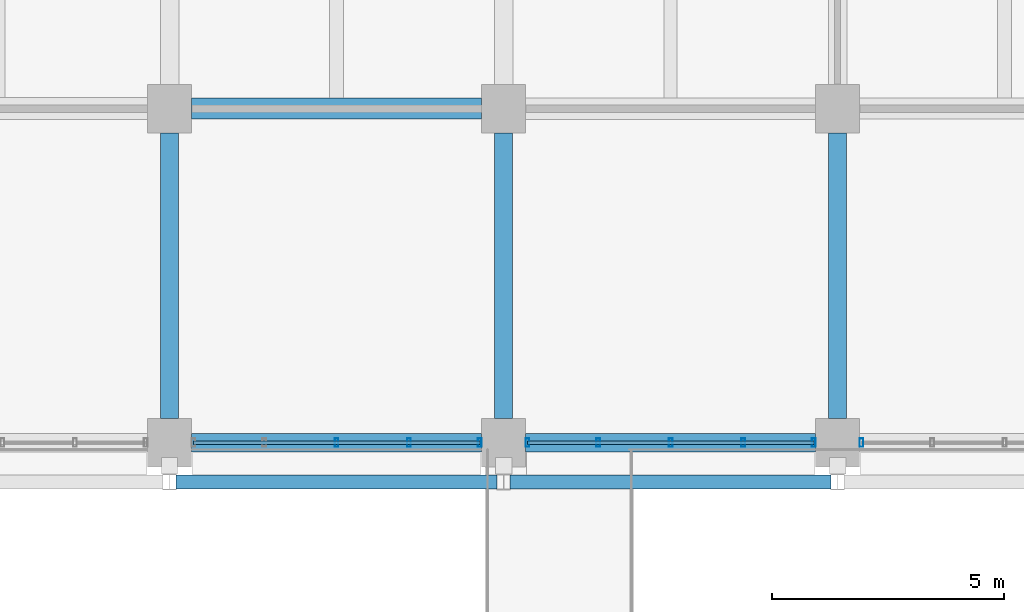
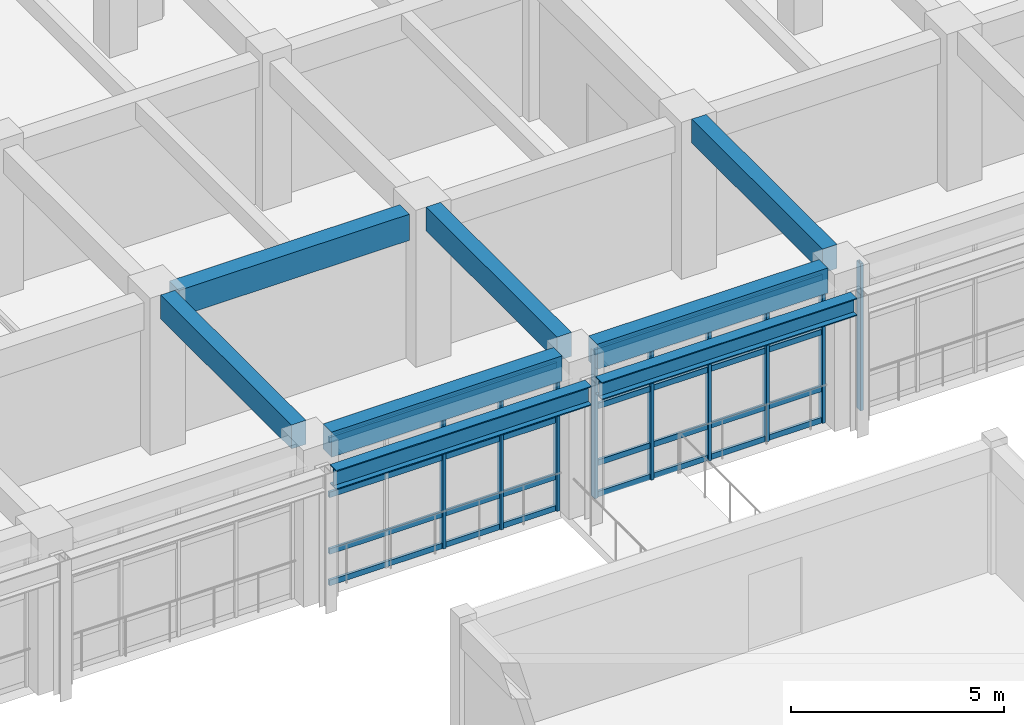
# One storey, part 99 of 171: 17 members, 8 beams, 3 elements without a shape of their own.
"""IFC4 building model written with IfcOpenShell, lengths in metres."""

from ifc_helpers import new_model, si_unit, direction, frame, origin, origin_2d, place, context, subcontext, project, spatial, rectangle, hollow_rectangle, i_section, extrude, material, material_profile, profile_set, type_object, element, aggregate, save


model = new_model("IFC4")

# Units and contexts
model_context = context("Model", 3, precision=1e-05, world=origin(), true_north=direction((0.0, 1.0)))
body_context = subcontext(model_context, "Body", "Model", "MODEL_VIEW")
ifc_project = project(units=[si_unit("LENGTHUNIT", "METRE"), si_unit("AREAUNIT", "SQUARE_METRE"), si_unit("VOLUMEUNIT", "CUBIC_METRE"), si_unit("PLANEANGLEUNIT", "RADIAN"), si_unit("MASSUNIT", "GRAM", prefix="KILO")], contexts=[model_context])

# Site, building, storey
site_placement = place(None, origin())
site = spatial("IfcSite", under=ifc_project, at=site_placement, CompositionType="ELEMENT")
building_placement = place(site_placement, origin())
building = spatial("IfcBuilding", under=site, at=building_placement, Name="Thalmaran Polytechnic", CompositionType="ELEMENT")
storey_placement = place(building_placement, frame((0.0, 0.0, 5.39990234375)))
storey = spatial("IfcBuildingStorey", under=building, at=storey_placement, Name="L01", CompositionType="ELEMENT", Elevation=5.39990234375)

# Beams
ifc_material_1 = material(Name="Steel S355", Category="steel")
ifc_material_profile_1 = material_profile(ifc_material_1, i_section(OverallWidth=0.300048828125, OverallDepth=0.550048828125, WebThickness=0.014892578125, FlangeThickness=0.029052734375, at=origin_2d()), Name="HEB 550")
ifc_profile_set_1 = profile_set([ifc_material_profile_1], Name="Steel S355")
beam_type_1 = type_object("IfcBeamType", Name="BM-CRN1", PredefinedType="BEAM", material=ifc_profile_set_1)
beam_1_placement = place(storey_placement, frame((144.139892578125, 49.550048828125, 3.72509765625), z_axis=(1.0, 0.0, 0.0), x_axis=(0.0, 1.0, 0.0)))
element("IfcBeam", 1, at=beam_1_placement, inside=storey, type_object=beam_type_1, Name="Workshop Crane Runway Beam Y7-20", PredefinedType="BEAM", context=body_context, shape_type="SweptSolid", body=[
    extrude(i_section(OverallWidth=0.300048828125, OverallDepth=0.550048828125, WebThickness=0.014892578125, FlangeThickness=0.029052734375, at=origin_2d()), origin(), (0.0, 0.0, 1.0), 6.920166015625),
])
ifc_material_profile_2 = material_profile(ifc_material_1, i_section(OverallWidth=0.300048828125, OverallDepth=0.5, WebThickness=0.014404296875, FlangeThickness=0.028076171875, at=origin_2d()), Name="HEB 500")
ifc_profile_set_2 = profile_set([ifc_material_profile_2], Name="Steel S355")
beam_type_2 = type_object("IfcBeamType", Name="BM-CRN2", PredefinedType="BEAM", material=ifc_profile_set_2)
beam_2_placement = place(storey_placement, frame((151.340087890625, 49.550048828125, 3.75), z_axis=(1.0, 0.0, 0.0), x_axis=(0.0, 1.0, 0.0)))
element("IfcBeam", 2, at=beam_2_placement, inside=storey, type_object=beam_type_2, Name="Workshop Crane Runway Beam Y7-21", PredefinedType="BEAM", context=body_context, shape_type="SweptSolid", body=[
    extrude(i_section(OverallWidth=0.300048828125, OverallDepth=0.5, WebThickness=0.014404296875, FlangeThickness=0.028076171875, at=origin_2d()), origin(), (0.0, 0.0, 1.0), 6.919921875),
])
ifc_material_2 = material(Name="Concrete C40/50", Category="concrete")
ifc_material_profile_3 = material_profile(ifc_material_2, rectangle(XDim=0.449951171875, YDim=0.75, at=origin_2d()), Name="RC 450x750")
ifc_profile_set_3 = profile_set([ifc_material_profile_3], Name="Concrete C40/50")
beam_type_3 = type_object("IfcBeamType", Name="BM-RC03", PredefinedType="BEAM", material=ifc_profile_set_3)
beam_3_placement = place(storey_placement, frame((144.47509765625, 57.60009765625, 3.835205078125), z_axis=(1.0, 0.0, 0.0), x_axis=(0.0, 1.0, 0.0)))
element("IfcBeam", 3, at=beam_3_placement, inside=storey, type_object=beam_type_3, Name="Grid Beam B03 L01 X(20,8)", PredefinedType="BEAM", context=body_context, shape_type="SweptSolid", body=[
    extrude(rectangle(XDim=0.449951171875, YDim=0.75, at=origin_2d()), origin(), (0.0, 0.0, 1.0), 6.25),
])
ifc_material_profile_4 = material_profile(ifc_material_2, rectangle(XDim=0.389892578125, YDim=0.68505859375, at=origin_2d()), Name="RC 390x685")
ifc_profile_set_4 = profile_set([ifc_material_profile_4], Name="Concrete C40/50")
beam_type_4 = type_object("IfcBeamType", Name="BM-RC08", PredefinedType="BEAM", material=ifc_profile_set_4)
for number, where, z_axis, x_axis, name in (
    (4, (144.0, 50.925048828125, 4.15771484375), (0.0, 1.0, 0.0), (-1.0, 0.0, 0.0), "Grid Beam B08 L01 Y(20,7)"),
    (5, (151.199951171875, 50.925048828125, 4.15771484375), (0.0, 1.0, 0.0), (-1.0, 0.0, 0.0), "Grid Beam B08 L01 Y(21,7)"),
    (6, (158.39990234375, 50.925048828125, 4.15771484375), (0.0, 1.0, 0.0), (-1.0, 0.0, 0.0), "Grid Beam B08 L01 Y(22,7)"),
):
    element("IfcBeam", number, at=place(storey_placement, frame(where, z_axis=z_axis, x_axis=x_axis)), inside=storey, type_object=beam_type_4, Name=name, PredefinedType="BEAM", context=body_context, shape_type="SweptSolid", body=[
        extrude(rectangle(XDim=0.389892578125, YDim=0.68505859375, at=origin_2d()), origin(), (0.0, 0.0, 1.0), 6.14990234375),
    ])
ifc_material_profile_5 = material_profile(ifc_material_2, rectangle(XDim=0.39990234375, YDim=0.719970703125, at=origin_2d()), Name="RC 400x720")
ifc_profile_set_5 = profile_set([ifc_material_profile_5], Name="Concrete C40/50")
beam_type_5 = type_object("IfcBeamType", Name="BM-SP01", PredefinedType="SPANDREL", material=ifc_profile_set_5)
for number, where, z_axis, x_axis, name in (
    (7, (144.47509765625, 50.39990234375, 4.14013671875), (1.0, 0.0, 0.0), (0.0, 1.0, 0.0), "Grid Beam SP01 L01 X(20,7)"),
    (8, (151.675048828125, 50.39990234375, 4.14013671875), (1.0, 0.0, 0.0), (0.0, 1.0, 0.0), "Grid Beam SP01 L01 X(21,7)"),
):
    element("IfcBeam", number, at=place(storey_placement, frame(where, z_axis=z_axis, x_axis=x_axis)), inside=storey, type_object=beam_type_5, Name=name, PredefinedType="SPANDREL", context=body_context, shape_type="SweptSolid", body=[
        extrude(rectangle(XDim=0.39990234375, YDim=0.719970703125, at=origin_2d()), origin(), (0.0, 0.0, 1.0), 6.25),
    ])

# Curtain wall, member
ifc_material_3 = material(Name="Aluminium 6063-T6", Category="aluminium")
curtain_wall_type = type_object("IfcCurtainWallType", Name="CW-UC02", PredefinedType="USERDEFINED", material=ifc_material_3)
curtain_wall_1_placement = place(storey_placement, origin())
curtain_wall_1 = element("IfcCurtainWall", 9, at=curtain_wall_1_placement, inside=storey, type_object=curtain_wall_type, Name="Curtain Wall CW-L01-124", ObjectType="UNITISED CURTAIN WALL", PredefinedType="USERDEFINED")
ifc_material_profile_6 = material_profile(ifc_material_3, hollow_rectangle(XDim=0.080078125, YDim=0.179931640625, WallThickness=0.0048828125, at=origin_2d()), Name="RHS 180x80x5.0")
ifc_profile_set_6 = profile_set([ifc_material_profile_6], Name="Aluminium 6063-T6")
member_type_1 = type_object("IfcMemberType", Name="CW-MUL1", PredefinedType="MULLION", material=ifc_profile_set_6)
member_1_placement = place(storey_placement, frame((158.9150390625, 50.39990234375, 0.0), z_axis=(0.0, 0.0, 1.0), x_axis=(1.0, 0.0, 0.0)))
member_1 = element("IfcMember", 10, at=member_1_placement, type_object=member_type_1, Name="CW-L01-124 Mullion 5", PredefinedType="MULLION", context=body_context, shape_type="SweptSolid", body=[
    extrude(hollow_rectangle(XDim=0.080078125, YDim=0.179931640625, WallThickness=0.0048828125, at=origin_2d()), origin(), (0.0, 0.0, 1.0), 4.210205078125),
])
aggregate(curtain_wall_1, [member_1])

# Curtain wall, members
curtain_wall_2_placement = place(storey_placement, origin())
curtain_wall_2 = element("IfcCurtainWall", 11, at=curtain_wall_2_placement, inside=storey, type_object=curtain_wall_type, Name="Curtain Wall CW-L01-125", ObjectType="UNITISED CURTAIN WALL", PredefinedType="USERDEFINED")
member_2_placement = place(storey_placement, frame((157.885009765625, 50.39990234375, 0.0), z_axis=(0.0, 0.0, 1.0), x_axis=(1.0, 0.0, 0.0)))
member_2 = element("IfcMember", 12, at=member_2_placement, type_object=member_type_1, Name="CW-L01-125 Mullion 1", PredefinedType="MULLION", context=body_context, shape_type="SweptSolid", body=[
    extrude(hollow_rectangle(XDim=0.080078125, YDim=0.179931640625, WallThickness=0.0048828125, at=origin_2d()), origin(), (0.0, 0.0, 1.0), 4.210205078125),
])
member_3_placement = place(storey_placement, frame((156.362548828125, 50.39990234375, 0.0), z_axis=(0.0, 0.0, 1.0), x_axis=(1.0, 0.0, 0.0)))
member_3 = element("IfcMember", 13, at=member_3_placement, type_object=member_type_1, Name="CW-L01-125 Mullion 2", PredefinedType="MULLION", context=body_context, shape_type="SweptSolid", body=[
    extrude(hollow_rectangle(XDim=0.080078125, YDim=0.179931640625, WallThickness=0.0048828125, at=origin_2d()), origin(), (0.0, 0.0, 1.0), 4.210205078125),
])
member_4_placement = place(storey_placement, frame((154.800048828125, 50.39990234375, 0.0), z_axis=(0.0, 0.0, 1.0), x_axis=(1.0, 0.0, 0.0)))
member_4 = element("IfcMember", 14, at=member_4_placement, type_object=member_type_1, Name="CW-L01-125 Mullion 3", PredefinedType="MULLION", context=body_context, shape_type="SweptSolid", body=[
    extrude(hollow_rectangle(XDim=0.080078125, YDim=0.179931640625, WallThickness=0.0048828125, at=origin_2d()), origin(), (0.0, 0.0, 1.0), 4.210205078125),
])
member_5_placement = place(storey_placement, frame((153.237548828125, 50.39990234375, 0.0), z_axis=(0.0, 0.0, 1.0), x_axis=(1.0, 0.0, 0.0)))
member_5 = element("IfcMember", 15, at=member_5_placement, type_object=member_type_1, Name="CW-L01-125 Mullion 4", PredefinedType="MULLION", context=body_context, shape_type="SweptSolid", body=[
    extrude(hollow_rectangle(XDim=0.080078125, YDim=0.179931640625, WallThickness=0.0048828125, at=origin_2d()), origin(), (0.0, 0.0, 1.0), 4.210205078125),
])
member_6_placement = place(storey_placement, frame((151.715087890625, 50.39990234375, 0.0), z_axis=(0.0, 0.0, 1.0), x_axis=(1.0, 0.0, 0.0)))
member_6 = element("IfcMember", 16, at=member_6_placement, type_object=member_type_1, Name="CW-L01-125 Mullion 5", PredefinedType="MULLION", context=body_context, shape_type="SweptSolid", body=[
    extrude(hollow_rectangle(XDim=0.080078125, YDim=0.179931640625, WallThickness=0.0048828125, at=origin_2d()), origin(), (0.0, 0.0, 1.0), 4.210205078125),
])

curtain_wall_3_placement = place(storey_placement, origin())
curtain_wall_3 = element("IfcCurtainWall", 17, at=curtain_wall_3_placement, inside=storey, type_object=curtain_wall_type, Name="Curtain Wall CW-L01-126", ObjectType="UNITISED CURTAIN WALL", PredefinedType="USERDEFINED")
member_7_placement = place(storey_placement, frame((150.68505859375, 50.39990234375, 0.0), z_axis=(0.0, 0.0, 1.0), x_axis=(1.0, 0.0, 0.0)))
member_7 = element("IfcMember", 18, at=member_7_placement, type_object=member_type_1, Name="CW-L01-126 Mullion 1", PredefinedType="MULLION", context=body_context, shape_type="SweptSolid", body=[
    extrude(hollow_rectangle(XDim=0.080078125, YDim=0.179931640625, WallThickness=0.0048828125, at=origin_2d()), origin(), (0.0, 0.0, 1.0), 4.210205078125),
])
member_8_placement = place(storey_placement, frame((149.16259765625, 50.39990234375, 0.0), z_axis=(0.0, 0.0, 1.0), x_axis=(1.0, 0.0, 0.0)))
member_8 = element("IfcMember", 19, at=member_8_placement, type_object=member_type_1, Name="CW-L01-126 Mullion 2", PredefinedType="MULLION", context=body_context, shape_type="SweptSolid", body=[
    extrude(hollow_rectangle(XDim=0.080078125, YDim=0.179931640625, WallThickness=0.0048828125, at=origin_2d()), origin(), (0.0, 0.0, 1.0), 4.210205078125),
])
member_9_placement = place(storey_placement, frame((147.60009765625, 50.39990234375, 0.0), z_axis=(0.0, 0.0, 1.0), x_axis=(1.0, 0.0, 0.0)))
member_9 = element("IfcMember", 20, at=member_9_placement, type_object=member_type_1, Name="CW-L01-126 Mullion 3", PredefinedType="MULLION", context=body_context, shape_type="SweptSolid", body=[
    extrude(hollow_rectangle(XDim=0.080078125, YDim=0.179931640625, WallThickness=0.0048828125, at=origin_2d()), origin(), (0.0, 0.0, 1.0), 4.210205078125),
])

# Member
ifc_material_profile_7 = material_profile(ifc_material_3, hollow_rectangle(XDim=0.070068359375, YDim=0.159912109375, WallThickness=0.00390625, at=origin_2d()), Name="AL 160x70x4.0")
ifc_profile_set_7 = profile_set([ifc_material_profile_7], Name="Aluminium 6063-T6")
member_type_2 = type_object("IfcMemberType", Name="CW-TRN1", PredefinedType="USERDEFINED", material=ifc_profile_set_7)
member_10_placement = place(storey_placement, frame((157.885009765625, 50.39990234375, 0.06005859375), z_axis=(-1.0, 0.0, 0.0), x_axis=(0.0, -1.0, 0.0)))
member_10 = element("IfcMember", 21, at=member_10_placement, type_object=member_type_2, Name="CW-L01-125 Transom 1", ObjectType="TRANSOM", PredefinedType="USERDEFINED", context=body_context, shape_type="SweptSolid", body=[
    extrude(hollow_rectangle(XDim=0.070068359375, YDim=0.159912109375, WallThickness=0.00390625, at=origin_2d()), origin(), (0.0, 0.0, 1.0), 6.169921875),
])

member_11_placement = place(storey_placement, frame((157.885009765625, 50.39990234375, 0.960205078125), z_axis=(-1.0, 0.0, 0.0), x_axis=(0.0, -1.0, 0.0)))
member_11 = element("IfcMember", 22, at=member_11_placement, type_object=member_type_2, Name="CW-L01-125 Transom 2", ObjectType="TRANSOM", PredefinedType="USERDEFINED", context=body_context, shape_type="SweptSolid", body=[
    extrude(hollow_rectangle(XDim=0.070068359375, YDim=0.159912109375, WallThickness=0.00390625, at=origin_2d()), origin(), (0.0, 0.0, 1.0), 6.169921875),
])

member_12_placement = place(storey_placement, frame((157.885009765625, 50.39990234375, 2.585205078125), z_axis=(-1.0, 0.0, 0.0), x_axis=(0.0, -1.0, 0.0)))
member_12 = element("IfcMember", 23, at=member_12_placement, type_object=member_type_2, Name="CW-L01-125 Transom 3", ObjectType="TRANSOM", PredefinedType="USERDEFINED", context=body_context, shape_type="SweptSolid", body=[
    extrude(hollow_rectangle(XDim=0.070068359375, YDim=0.159912109375, WallThickness=0.00390625, at=origin_2d()), origin(), (0.0, 0.0, 1.0), 6.169921875),
])

member_13_placement = place(storey_placement, frame((157.885009765625, 50.39990234375, 4.150146484375), z_axis=(-1.0, 0.0, 0.0), x_axis=(0.0, -1.0, 0.0)))
member_13 = element("IfcMember", 24, at=member_13_placement, type_object=member_type_2, Name="CW-L01-125 Transom 4", ObjectType="TRANSOM", PredefinedType="USERDEFINED", context=body_context, shape_type="SweptSolid", body=[
    extrude(hollow_rectangle(XDim=0.070068359375, YDim=0.159912109375, WallThickness=0.00390625, at=origin_2d()), origin(), (0.0, 0.0, 1.0), 6.169921875),
])

aggregate(curtain_wall_2, [member_2, member_3, member_4, member_5, member_6, member_10, member_11, member_12, member_13])

member_14_placement = place(storey_placement, frame((150.68505859375, 50.39990234375, 0.06005859375), z_axis=(-1.0, 0.0, 0.0), x_axis=(0.0, -1.0, 0.0)))
member_14 = element("IfcMember", 25, at=member_14_placement, type_object=member_type_2, Name="CW-L01-126 Transom 1", ObjectType="TRANSOM", PredefinedType="USERDEFINED", context=body_context, shape_type="SweptSolid", body=[
    extrude(hollow_rectangle(XDim=0.070068359375, YDim=0.159912109375, WallThickness=0.00390625, at=origin_2d()), origin(), (0.0, 0.0, 1.0), 6.170166015625),
])

member_15_placement = place(storey_placement, frame((150.68505859375, 50.39990234375, 0.960205078125), z_axis=(-1.0, 0.0, 0.0), x_axis=(0.0, -1.0, 0.0)))
member_15 = element("IfcMember", 26, at=member_15_placement, type_object=member_type_2, Name="CW-L01-126 Transom 2", ObjectType="TRANSOM", PredefinedType="USERDEFINED", context=body_context, shape_type="SweptSolid", body=[
    extrude(hollow_rectangle(XDim=0.070068359375, YDim=0.159912109375, WallThickness=0.00390625, at=origin_2d()), origin(), (0.0, 0.0, 1.0), 6.170166015625),
])

member_16_placement = place(storey_placement, frame((150.68505859375, 50.39990234375, 2.585205078125), z_axis=(-1.0, 0.0, 0.0), x_axis=(0.0, -1.0, 0.0)))
member_16 = element("IfcMember", 27, at=member_16_placement, type_object=member_type_2, Name="CW-L01-126 Transom 3", ObjectType="TRANSOM", PredefinedType="USERDEFINED", context=body_context, shape_type="SweptSolid", body=[
    extrude(hollow_rectangle(XDim=0.070068359375, YDim=0.159912109375, WallThickness=0.00390625, at=origin_2d()), origin(), (0.0, 0.0, 1.0), 6.170166015625),
])

member_17_placement = place(storey_placement, frame((150.68505859375, 50.39990234375, 4.150146484375), z_axis=(-1.0, 0.0, 0.0), x_axis=(0.0, -1.0, 0.0)))
member_17 = element("IfcMember", 28, at=member_17_placement, type_object=member_type_2, Name="CW-L01-126 Transom 4", ObjectType="TRANSOM", PredefinedType="USERDEFINED", context=body_context, shape_type="SweptSolid", body=[
    extrude(hollow_rectangle(XDim=0.070068359375, YDim=0.159912109375, WallThickness=0.00390625, at=origin_2d()), origin(), (0.0, 0.0, 1.0), 6.170166015625),
])

aggregate(curtain_wall_3, [member_7, member_8, member_9, member_14, member_15, member_16, member_17])

save(model, "model.ifc")
